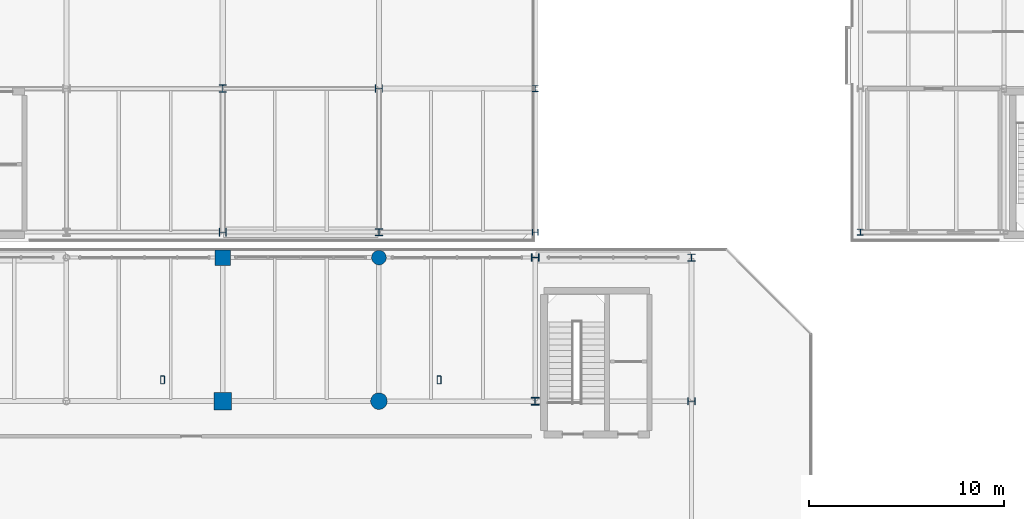
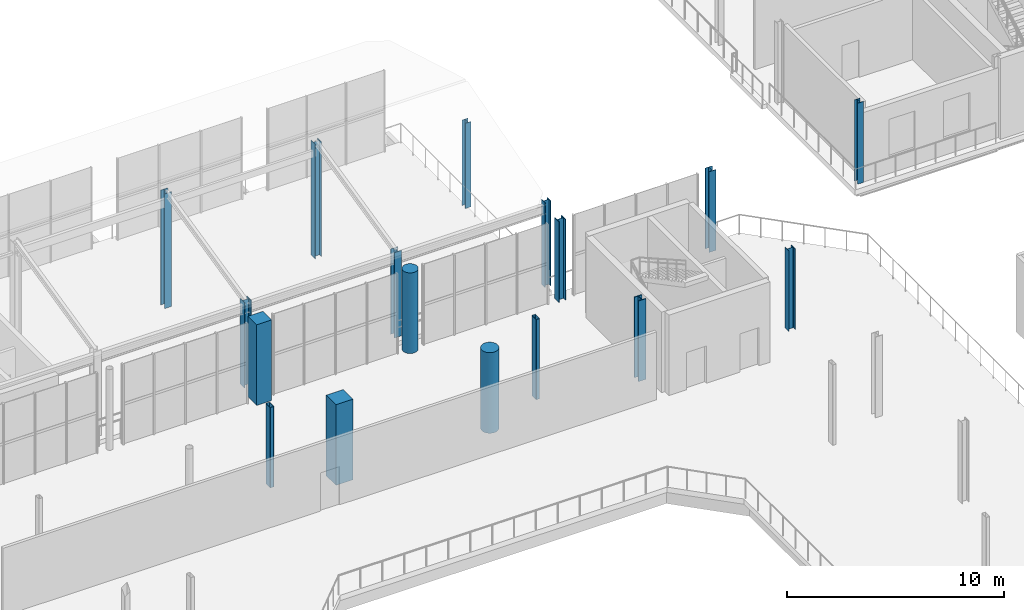
# One storey, part 15 of 70: 17 columns.
"""IFC4 building model written with IfcOpenShell, lengths in metres."""

from ifc_helpers import new_model, si_unit, direction, frame, origin, origin_2d, place, context, subcontext, project, spatial, rectangle, hollow_rectangle, circle, i_section, extrude, material, material_profile, profile_set, type_object, element, save


model = new_model("IFC4")

# Units and contexts
model_context = context("Model", 3, precision=1e-05, world=origin(), true_north=direction((0.0, 1.0)))
body_context = subcontext(model_context, "Body", "Model", "MODEL_VIEW")
ifc_project = project(units=[si_unit("LENGTHUNIT", "METRE"), si_unit("AREAUNIT", "SQUARE_METRE"), si_unit("VOLUMEUNIT", "CUBIC_METRE"), si_unit("PLANEANGLEUNIT", "RADIAN"), si_unit("MASSUNIT", "GRAM", prefix="KILO")], contexts=[model_context])

# Site, building, storey
site_placement = place(None, origin())
site = spatial("IfcSite", under=ifc_project, at=site_placement, CompositionType="ELEMENT")
building_placement = place(site_placement, origin())
building = spatial("IfcBuilding", under=site, at=building_placement, Name="Brisemont Oceanarium", CompositionType="ELEMENT")
storey_placement = place(building_placement, frame((0.0, 0.0, 10.199951171875)))
storey = spatial("IfcBuildingStorey", under=building, at=storey_placement, Name="L02", CompositionType="ELEMENT", Elevation=10.199951171875)

# Columns
ifc_material_1 = material(Name="Structural Steel ASTM A500 Gr.C", Category="steel")
ifc_material_profile_1 = material_profile(ifc_material_1, hollow_rectangle(XDim=0.202880859375, YDim=0.406005859375, WallThickness=0.01171875, InnerFilletRadius=0.01220703125, OuterFilletRadius=0.02392578125, at=origin_2d()), Name="HSS16X8X1/2")
ifc_profile_set_1 = profile_set([ifc_material_profile_1], Name="Structural Steel ASTM A500 Gr.C")
column_type_1 = type_object("IfcColumnType", Name="COL-HSS16X8", PredefinedType="COLUMN", material=ifc_profile_set_1)
for number, where, z_axis, x_axis, name in (
    (1, (91.07958984375, 73.091796875, 0.0), (0.0, 0.0, 1.0), (1.0, 0.0, 0.0), "V1 dome drum pier L02.2"),
    (2, (76.92041015625, 73.091796875, 0.0), (0.0, 0.0, 1.0), (1.0, 0.0, 0.0), "V1 dome drum pier L02.3"),
):
    element("IfcColumn", number, at=place(storey_placement, frame(where, z_axis=z_axis, x_axis=x_axis)), inside=storey, type_object=column_type_1, Name=name, PredefinedType="COLUMN", context=body_context, shape_type="SweptSolid", body=[
        extrude(hollow_rectangle(XDim=0.202880859375, YDim=0.406005859375, WallThickness=0.01171875, InnerFilletRadius=0.01220703125, OuterFilletRadius=0.02392578125, at=origin_2d()), origin(), (0.0, 0.0, 1.0), 4.52001953125),
    ])
ifc_material_2 = material(Name="Concrete C40/50", Category="concrete")
ifc_material_profile_2 = material_profile(ifc_material_2, rectangle(XDim=0.800048828125, YDim=0.800048828125, at=origin_2d()), Name="RC-COL-800X800")
ifc_profile_set_2 = profile_set([ifc_material_profile_2], Name="Concrete C40/50")
column_type_2 = type_object("IfcColumnType", Name="COL-RC800", PredefinedType="COLUMN", material=ifc_profile_set_2)
column_1_placement = place(storey_placement, frame((80.0, 79.35009765625, 0.0), z_axis=(0.0, 0.0, 1.0), x_axis=(0.0, 1.0, 0.0)))
element("IfcColumn", 3, at=column_1_placement, inside=storey, type_object=column_type_2, Name="V1 L02 column (3,6)", PredefinedType="COLUMN", context=body_context, shape_type="SweptSolid", body=[
    extrude(rectangle(XDim=0.800048828125, YDim=0.800048828125, at=origin_2d()), origin(), (0.0, 0.0, 1.0), 4.5400390625),
])
ifc_material_3 = material(Name="Concrete C40/50", Category="concrete")
ifc_material_profile_3 = material_profile(ifc_material_3, rectangle(XDim=0.89990234375, YDim=0.89990234375, at=origin_2d()), Name="RC-COL-900X900")
ifc_profile_set_3 = profile_set([ifc_material_profile_3], Name="Concrete C40/50")
column_type_3 = type_object("IfcColumnType", Name="COL-RC900", PredefinedType="COLUMN", material=ifc_profile_set_3)
column_2_placement = place(storey_placement, frame((80.0, 72.0, 0.0), z_axis=(0.0, 0.0, 1.0), x_axis=(1.0, 0.0, 0.0)))
element("IfcColumn", 4, at=column_2_placement, inside=storey, type_object=column_type_3, Name="V1 L02 column (3,5)", PredefinedType="COLUMN", context=body_context, shape_type="SweptSolid", body=[
    extrude(rectangle(XDim=0.89990234375, YDim=0.89990234375, at=origin_2d()), origin(), (0.0, 0.0, 1.0), 4.5400390625),
])
ifc_material_4 = material(Name="Concrete C40/50", Category="concrete")
ifc_material_profile_4 = material_profile(ifc_material_4, circle(Radius=0.375, at=origin_2d()), Name="RC-COL-D750")
ifc_profile_set_4 = profile_set([ifc_material_profile_4], Name="Concrete C40/50")
column_type_4 = type_object("IfcColumnType", Name="COL-RCD750", PredefinedType="COLUMN", material=ifc_profile_set_4)
column_3_placement = place(storey_placement, frame((88.0, 79.35009765625, 0.0), z_axis=(0.0, 0.0, 1.0), x_axis=(1.0, 0.0, 0.0)))
element("IfcColumn", 5, at=column_3_placement, inside=storey, type_object=column_type_4, Name="V1 L02 column (4,6)", PredefinedType="COLUMN", context=body_context, shape_type="SweptSolid", body=[
    extrude(circle(Radius=0.375, at=origin_2d()), origin(), (0.0, 0.0, 1.0), 4.5400390625),
])
ifc_material_5 = material(Name="Concrete C40/50", Category="concrete")
ifc_material_profile_5 = material_profile(ifc_material_5, circle(Radius=0.425048828125, at=origin_2d()), Name="RC-COL-D850")
ifc_profile_set_5 = profile_set([ifc_material_profile_5], Name="Concrete C40/50")
column_type_5 = type_object("IfcColumnType", Name="COL-RCD850", PredefinedType="COLUMN", material=ifc_profile_set_5)
column_4_placement = place(storey_placement, frame((88.0, 72.0, 0.0), z_axis=(0.0, 0.0, 1.0), x_axis=(0.0, 1.0, 0.0)))
element("IfcColumn", 6, at=column_4_placement, inside=storey, type_object=column_type_5, Name="V1 L02 column (4,5)", PredefinedType="COLUMN", context=body_context, shape_type="SweptSolid", body=[
    extrude(circle(Radius=0.425048828125, at=origin_2d()), origin(), (0.0, 0.0, 1.0), 4.5400390625),
])
ifc_material_6 = material(Name="Structural Steel ASTM A992 Gr.50", Category="steel")
ifc_material_profile_6 = material_profile(ifc_material_6, i_section(OverallWidth=0.306884765625, OverallDepth=0.31494140625, WebThickness=0.011962890625, FlangeThickness=0.018798828125, FilletRadius=0.012939453125, at=origin_2d()), Name="W12X79")
ifc_profile_set_6 = profile_set([ifc_material_profile_6], Name="Structural Steel ASTM A992 Gr.50")
column_type_6 = type_object("IfcColumnType", Name="COL-W12X79", PredefinedType="COLUMN", material=ifc_profile_set_6)
column_5_placement = place(storey_placement, frame((96.0, 88.0, 0.0), z_axis=(0.0, 0.0, 1.0), x_axis=(1.0, 0.0, 0.0)))
element("IfcColumn", 7, at=column_5_placement, inside=storey, type_object=column_type_6, Name="V7E L02 column (5,1)", PredefinedType="COLUMN", context=body_context, shape_type="SweptSolid", body=[
    extrude(i_section(OverallWidth=0.306884765625, OverallDepth=0.31494140625, WebThickness=0.011962890625, FlangeThickness=0.018798828125, FilletRadius=0.012939453125, at=origin_2d()), origin(), (0.0, 0.0, 1.0), 4.800048828125),
])
column_6_placement = place(storey_placement, frame((112.64990234375, 80.64990234375, 0.0), z_axis=(0.0, 0.0, 1.0), x_axis=(1.0, 0.0, 0.0)))
element("IfcColumn", 8, at=column_6_placement, inside=storey, type_object=column_type_6, Name="V6 L02 column (0,0)", PredefinedType="COLUMN", context=body_context, shape_type="SweptSolid", body=[
    extrude(i_section(OverallWidth=0.306884765625, OverallDepth=0.31494140625, WebThickness=0.011962890625, FlangeThickness=0.018798828125, FilletRadius=0.012939453125, at=origin_2d()), origin(), (0.0, 0.0, 1.0), 4.56005859375),
])
ifc_material_7 = material(Name="Structural Steel ASTM A992 Gr.50", Category="steel")
ifc_material_profile_7 = material_profile(ifc_material_7, i_section(OverallWidth=0.30810546875, OverallDepth=0.318115234375, WebThickness=0.01318359375, FlangeThickness=0.0205078125, FilletRadius=0.012939453125, at=origin_2d()), Name="W12X87")
ifc_profile_set_7 = profile_set([ifc_material_profile_7], Name="Structural Steel ASTM A992 Gr.50")
column_type_7 = type_object("IfcColumnType", Name="COL-W12X87", PredefinedType="COLUMN", material=ifc_profile_set_7)
column_7_placement = place(storey_placement, frame((96.0, 80.64990234375, 0.0), z_axis=(0.0, 0.0, 1.0), x_axis=(0.0, 1.0, 0.0)))
element("IfcColumn", 9, at=column_7_placement, inside=storey, type_object=column_type_7, Name="V7E L02 column (5,0)", PredefinedType="COLUMN", context=body_context, shape_type="SweptSolid", body=[
    extrude(i_section(OverallWidth=0.30810546875, OverallDepth=0.318115234375, WebThickness=0.01318359375, FlangeThickness=0.0205078125, FilletRadius=0.012939453125, at=origin_2d()), origin(), (0.0, 0.0, 1.0), 4.800048828125),
])
ifc_material_8 = material(Name="Structural Steel ASTM A992 Gr.50", Category="steel")
ifc_material_profile_8 = material_profile(ifc_material_8, i_section(OverallWidth=0.37109375, OverallDepth=0.364013671875, WebThickness=0.01318359375, FlangeThickness=0.021728515625, FilletRadius=0.014892578125, at=origin_2d()), Name="W14X109")
ifc_profile_set_8 = profile_set([ifc_material_profile_8], Name="Structural Steel ASTM A992 Gr.50")
column_type_8 = type_object("IfcColumnType", Name="COL-W14X109", PredefinedType="COLUMN", material=ifc_profile_set_8)
column_8_placement = place(storey_placement, frame((104.0, 72.0, 0.0), z_axis=(0.0, 0.0, 1.0), x_axis=(0.0, 1.0, 0.0)))
element("IfcColumn", 10, at=column_8_placement, inside=storey, type_object=column_type_8, Name="V1 L02 column (6,5)", PredefinedType="COLUMN", context=body_context, shape_type="SweptSolid", body=[
    extrude(i_section(OverallWidth=0.37109375, OverallDepth=0.364013671875, WebThickness=0.01318359375, FlangeThickness=0.021728515625, FilletRadius=0.014892578125, at=origin_2d()), origin(), (0.0, 0.0, 1.0), 4.5400390625),
])
column_9_placement = place(storey_placement, frame((88.0, 80.64990234375, 0.0), z_axis=(0.0, 0.0, 1.0), x_axis=(1.0, 0.0, 0.0)))
element("IfcColumn", 11, at=column_9_placement, inside=storey, type_object=column_type_8, Name="V7E L02 column (4,0)", PredefinedType="COLUMN", context=body_context, shape_type="SweptSolid", body=[
    extrude(i_section(OverallWidth=0.37109375, OverallDepth=0.364013671875, WebThickness=0.01318359375, FlangeThickness=0.021728515625, FilletRadius=0.014892578125, at=origin_2d()), origin(), (0.0, 0.0, 1.0), 4.800048828125),
])
ifc_material_9 = material(Name="Structural Steel ASTM A992 Gr.50", Category="steel")
ifc_material_profile_9 = material_profile(ifc_material_9, i_section(OverallWidth=0.3740234375, OverallDepth=0.3720703125, WebThickness=0.016357421875, FlangeThickness=0.026123046875, FilletRadius=0.014892578125, at=origin_2d()), Name="W14X132")
ifc_profile_set_9 = profile_set([ifc_material_profile_9], Name="Structural Steel ASTM A992 Gr.50")
column_type_9 = type_object("IfcColumnType", Name="COL-W14X132", PredefinedType="COLUMN", material=ifc_profile_set_9)
column_10_placement = place(storey_placement, frame((80.0, 88.0, 0.0), z_axis=(0.0, 0.0, 1.0), x_axis=(1.0, 0.0, 0.0)))
element("IfcColumn", 12, at=column_10_placement, inside=storey, type_object=column_type_9, Name="V7E L02 column (3,1)", PredefinedType="COLUMN", context=body_context, shape_type="SweptSolid", body=[
    extrude(i_section(OverallWidth=0.3740234375, OverallDepth=0.3720703125, WebThickness=0.016357421875, FlangeThickness=0.026123046875, FilletRadius=0.014892578125, at=origin_2d()), origin(), (0.0, 0.0, 1.0), 6.449951171875),
])
ifc_material_10 = material(Name="Structural Steel ASTM A992 Gr.50", Category="steel")
ifc_material_profile_10 = material_profile(ifc_material_10, i_section(OverallWidth=0.39404296875, OverallDepth=0.3759765625, WebThickness=0.017333984375, FlangeThickness=0.027587890625, FilletRadius=0.014892578125, at=origin_2d()), Name="W14X145")
ifc_profile_set_10 = profile_set([ifc_material_profile_10], Name="Structural Steel ASTM A992 Gr.50")
column_type_10 = type_object("IfcColumnType", Name="COL-W14X145", PredefinedType="COLUMN", material=ifc_profile_set_10)
column_11_placement = place(storey_placement, frame((80.0, 80.64990234375, 0.0), z_axis=(0.0, 0.0, 1.0), x_axis=(0.0, 1.0, 0.0)))
element("IfcColumn", 13, at=column_11_placement, inside=storey, type_object=column_type_10, Name="V7E L02 column (3,0)", PredefinedType="COLUMN", context=body_context, shape_type="SweptSolid", body=[
    extrude(i_section(OverallWidth=0.39404296875, OverallDepth=0.3759765625, WebThickness=0.017333984375, FlangeThickness=0.027587890625, FilletRadius=0.014892578125, at=origin_2d()), origin(), (0.0, 0.0, 1.0), 4.800048828125),
])
ifc_material_11 = material(Name="Structural Steel ASTM A992 Gr.50", Category="steel")
ifc_material_profile_11 = material_profile(ifc_material_11, i_section(OverallWidth=0.39990234375, OverallDepth=0.39306640625, WebThickness=0.022705078125, FlangeThickness=0.03662109375, FilletRadius=0.014892578125, at=origin_2d()), Name="W14X193")
ifc_profile_set_11 = profile_set([ifc_material_profile_11], Name="Structural Steel ASTM A992 Gr.50")
column_type_11 = type_object("IfcColumnType", Name="COL-W14X193", PredefinedType="COLUMN", material=ifc_profile_set_11)
column_12_placement = place(storey_placement, frame((96.0, 79.35009765625, 0.0), z_axis=(0.0, 0.0, 1.0), x_axis=(0.0, 1.0, 0.0)))
element("IfcColumn", 14, at=column_12_placement, inside=storey, type_object=column_type_11, Name="V1 L02 column (5,6)", PredefinedType="COLUMN", context=body_context, shape_type="SweptSolid", body=[
    extrude(i_section(OverallWidth=0.39990234375, OverallDepth=0.39306640625, WebThickness=0.022705078125, FlangeThickness=0.03662109375, FilletRadius=0.014892578125, at=origin_2d()), origin(), (0.0, 0.0, 1.0), 4.5400390625),
])
ifc_material_12 = material(Name="Structural Steel ASTM A992 Gr.50", Category="steel")
ifc_material_profile_12 = material_profile(ifc_material_12, i_section(OverallWidth=0.40087890625, OverallDepth=0.39892578125, WebThickness=0.02490234375, FlangeThickness=0.03955078125, FilletRadius=0.014892578125, at=origin_2d()), Name="W14X211")
ifc_profile_set_12 = profile_set([ifc_material_profile_12], Name="Structural Steel ASTM A992 Gr.50")
column_type_12 = type_object("IfcColumnType", Name="COL-W14X211", PredefinedType="COLUMN", material=ifc_profile_set_12)
column_13_placement = place(storey_placement, frame((96.0, 72.0, 0.0), z_axis=(0.0, 0.0, 1.0), x_axis=(1.0, 0.0, 0.0)))
element("IfcColumn", 15, at=column_13_placement, inside=storey, type_object=column_type_12, Name="V1 L02 column (5,5)", PredefinedType="COLUMN", context=body_context, shape_type="SweptSolid", body=[
    extrude(i_section(OverallWidth=0.40087890625, OverallDepth=0.39892578125, WebThickness=0.02490234375, FlangeThickness=0.03955078125, FilletRadius=0.014892578125, at=origin_2d()), origin(), (0.0, 0.0, 1.0), 4.5400390625),
])
ifc_material_13 = material(Name="Structural Steel ASTM A992 Gr.50", Category="steel")
ifc_material_profile_13 = material_profile(ifc_material_13, i_section(OverallWidth=0.37109375, OverallDepth=0.361083984375, WebThickness=0.01220703125, FlangeThickness=0.019775390625, FilletRadius=0.014892578125, at=origin_2d()), Name="W14X99")
ifc_profile_set_13 = profile_set([ifc_material_profile_13], Name="Structural Steel ASTM A992 Gr.50")
column_type_13 = type_object("IfcColumnType", Name="COL-W14X99", PredefinedType="COLUMN", material=ifc_profile_set_13)
column_14_placement = place(storey_placement, frame((104.0, 79.35009765625, 0.0), z_axis=(0.0, 0.0, 1.0), x_axis=(1.0, 0.0, 0.0)))
element("IfcColumn", 16, at=column_14_placement, inside=storey, type_object=column_type_13, Name="V1 L02 column (6,6)", PredefinedType="COLUMN", context=body_context, shape_type="SweptSolid", body=[
    extrude(i_section(OverallWidth=0.37109375, OverallDepth=0.361083984375, WebThickness=0.01220703125, FlangeThickness=0.019775390625, FilletRadius=0.014892578125, at=origin_2d()), origin(), (0.0, 0.0, 1.0), 4.5400390625),
])
column_15_placement = place(storey_placement, frame((88.0, 88.0, 0.0), z_axis=(0.0, 0.0, 1.0), x_axis=(0.0, 1.0, 0.0)))
element("IfcColumn", 17, at=column_15_placement, inside=storey, type_object=column_type_13, Name="V7E L02 column (4,1)", PredefinedType="COLUMN", context=body_context, shape_type="SweptSolid", body=[
    extrude(i_section(OverallWidth=0.37109375, OverallDepth=0.361083984375, WebThickness=0.01220703125, FlangeThickness=0.019775390625, FilletRadius=0.014892578125, at=origin_2d()), origin(), (0.0, 0.0, 1.0), 6.449951171875),
])

save(model, "model.ifc")
